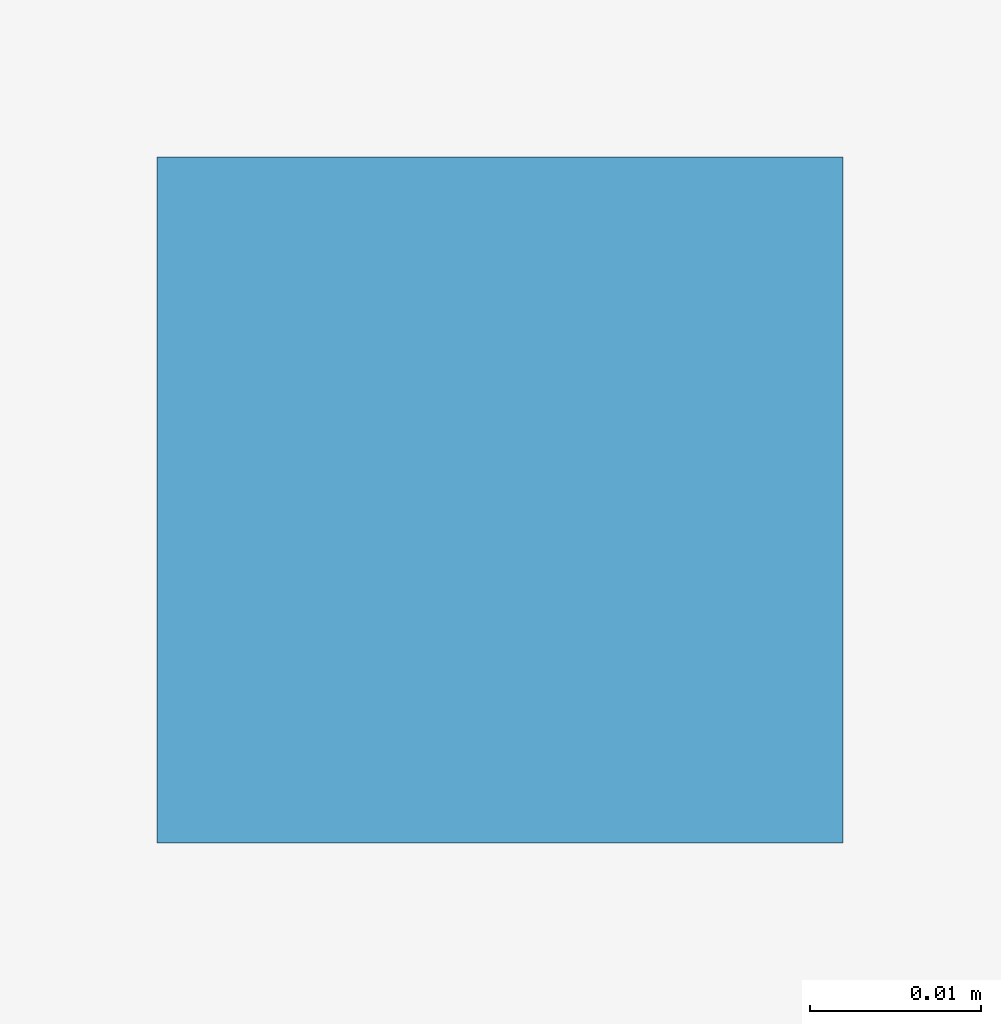
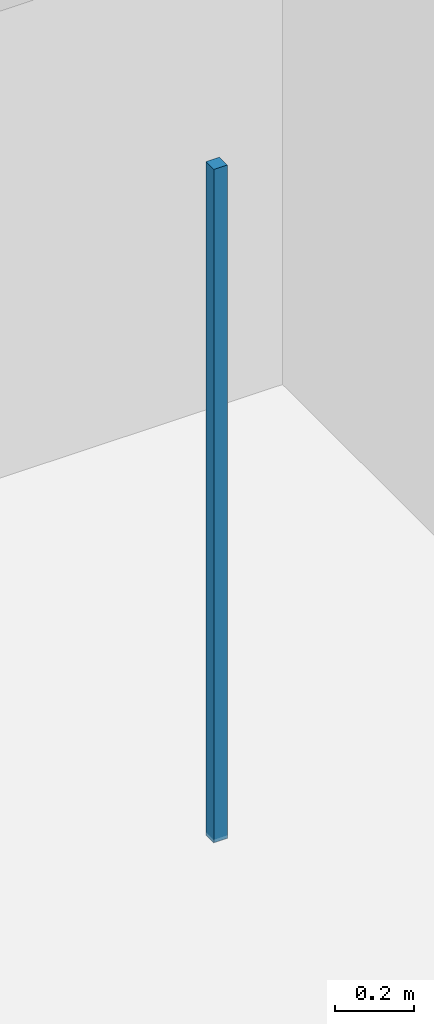
# One storey, part 104 of 167: 1 discrete accessory.
"""IFC4 building model written with IfcOpenShell, lengths in metres."""

from ifc_helpers import new_model, si_unit, direction, frame, origin, origin_2d, place, context, subcontext, project, spatial, rectangle, extrude, material, type_object, element, save


model = new_model("IFC4")

# Units and contexts
model_context = context("Model", 3, precision=1e-05, world=origin(), true_north=direction((0.0, 1.0)))
body_context = subcontext(model_context, "Body", "Model", "MODEL_VIEW")
ifc_project = project(units=[si_unit("LENGTHUNIT", "METRE"), si_unit("AREAUNIT", "SQUARE_METRE"), si_unit("VOLUMEUNIT", "CUBIC_METRE"), si_unit("PLANEANGLEUNIT", "RADIAN"), si_unit("MASSUNIT", "GRAM", prefix="KILO")], contexts=[model_context])

# Site, building, storey
site_placement = place(None, origin())
site = spatial("IfcSite", under=ifc_project, at=site_placement, CompositionType="ELEMENT")
building_placement = place(site_placement, origin())
building = spatial("IfcBuilding", under=site, at=building_placement, Name="Varncliffe General Hospital", CompositionType="ELEMENT")
storey_placement = place(building_placement, origin())
storey = spatial("IfcBuildingStorey", under=building, at=storey_placement, Name="L00", CompositionType="ELEMENT", Elevation=0.0)

# Discrete accessory
ifc_material = material(Name="Powder-coated hospital steel guardrail and handrail", Category="steel")
discrete_accessory_type = type_object("IfcDiscreteAccessoryType", Name="Suspended Ceiling Hanger Bracket CH01", PredefinedType="BRACKET", material=ifc_material)
discrete_accessory_placement = place(storey_placement, frame((44.699951171875, 93.95751953125, 3.18994140625), z_axis=(0.0, 0.0, 1.0), x_axis=(1.0, 0.0, 0.0)))
element("IfcDiscreteAccessory", 1, at=discrete_accessory_placement, inside=storey, type_object=discrete_accessory_type, Name="L00 Suspended Ceiling Hanger 41", PredefinedType="BRACKET", context=body_context, shape_type="SweptSolid", body=[
    extrude(rectangle(XDim=0.0400390625, YDim=0.0400390625, at=origin_2d()), origin(), (0.0, 0.0, 1.0), 2.090087890625),
])

save(model, "model.ifc")
